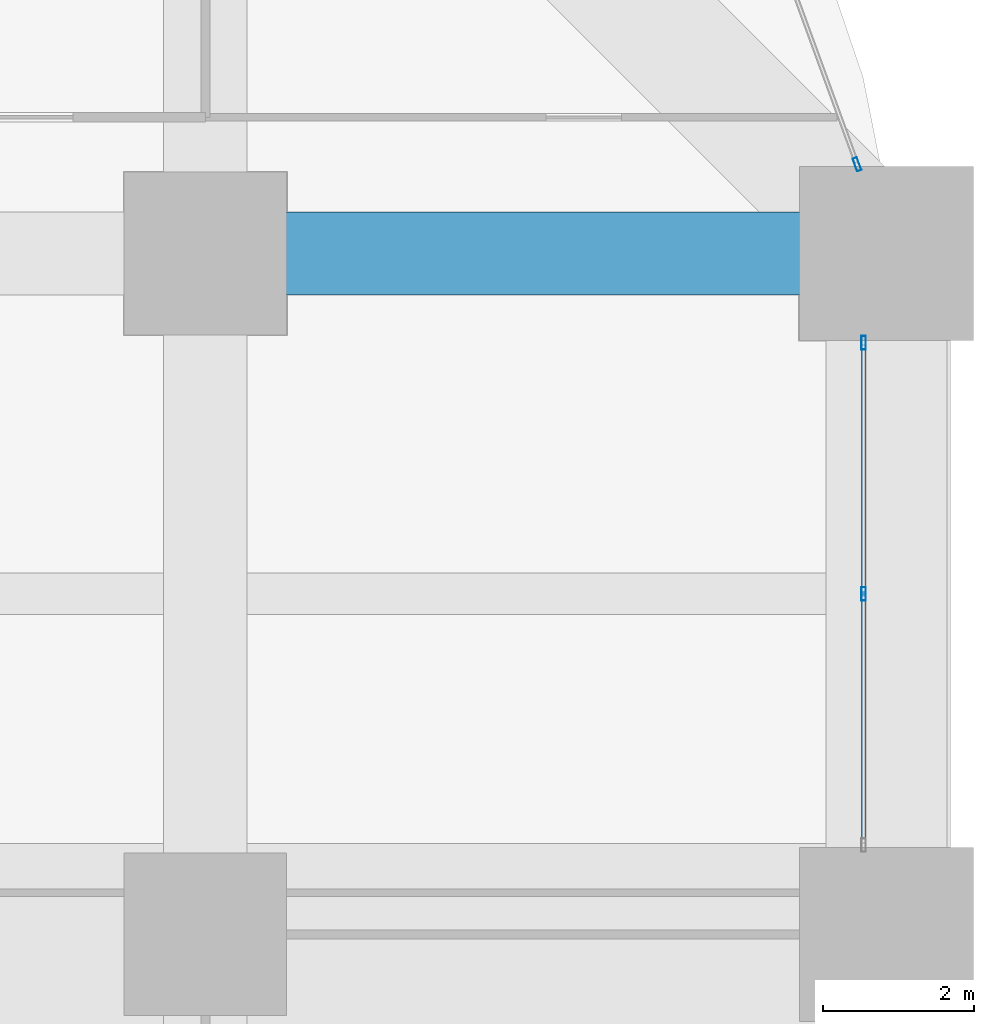
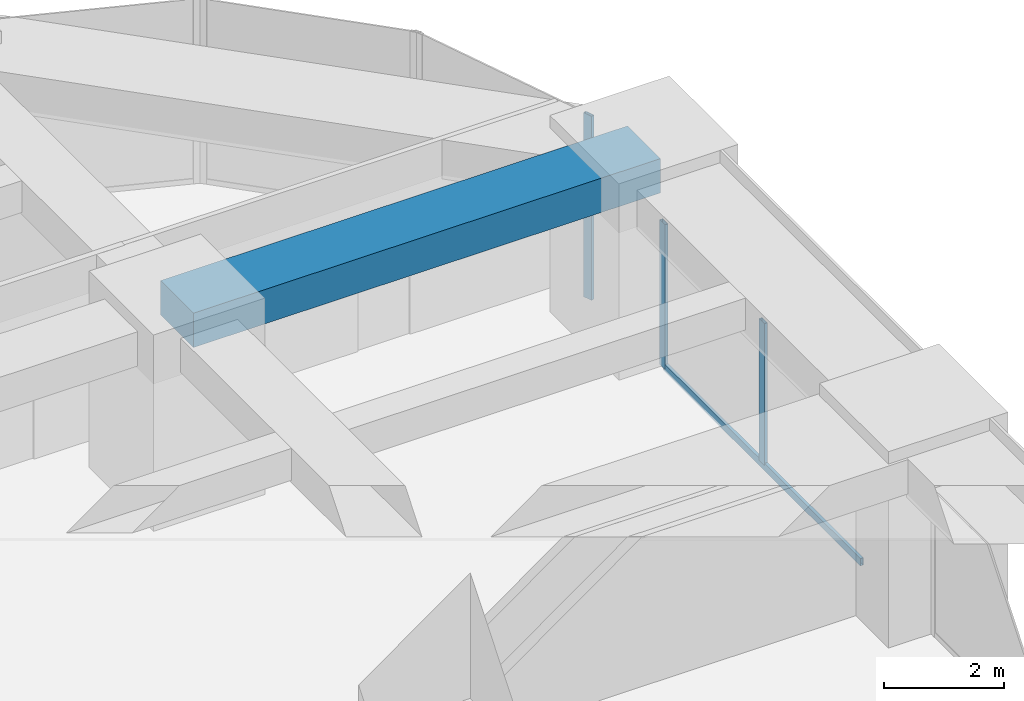
# One storey, part 33 of 44: 4 members, 1 beam, 2 elements without a shape of their own.
"""IFC4 building model written with IfcOpenShell, lengths in metres."""

from ifc_helpers import new_model, si_unit, direction, frame, origin, origin_2d, place, context, subcontext, project, spatial, rectangle, hollow_rectangle, extrude, material, material_profile, profile_set, type_object, element, aggregate, save


model = new_model("IFC4")

# Units and contexts
model_context = context("Model", 3, precision=1e-05, world=origin(), true_north=direction((0.0, 1.0)))
body_context = subcontext(model_context, "Body", "Model", "MODEL_VIEW")
ifc_project = project(units=[si_unit("LENGTHUNIT", "METRE"), si_unit("AREAUNIT", "SQUARE_METRE"), si_unit("VOLUMEUNIT", "CUBIC_METRE"), si_unit("PLANEANGLEUNIT", "RADIAN"), si_unit("MASSUNIT", "GRAM", prefix="KILO")], contexts=[model_context])

# Site, building, storey
site_placement = place(None, origin())
site = spatial("IfcSite", under=ifc_project, at=site_placement, CompositionType="ELEMENT")
building_placement = place(site_placement, origin())
building = spatial("IfcBuilding", under=site, at=building_placement, Name="Zorevar Civic Tower", CompositionType="ELEMENT")
storey_placement = place(building_placement, frame((0.0, 0.0, 63.800048828125)))
storey = spatial("IfcBuildingStorey", under=building, at=storey_placement, Name="L15", CompositionType="ELEMENT", Elevation=63.800048828125)

# Beam
ifc_material_1 = material(Name="Concrete C50/60", Category="concrete")
ifc_material_profile_1 = material_profile(ifc_material_1, rectangle(XDim=1.10009765625, YDim=0.699951171875, at=origin_2d()), Name="RC 1100x700")
ifc_profile_set_1 = profile_set([ifc_material_profile_1], Name="Concrete C50/60")
beam_type = type_object("IfcBeamType", Name="Beam RC 1100x700", PredefinedType="BEAM", material=ifc_profile_set_1)
beam_placement = place(storey_placement, frame((54.0, 45.0, 3.39990234375), z_axis=(1.0, 0.0, 0.0), x_axis=(0.0, 1.0, 0.0)))
element("IfcBeam", 1, at=beam_placement, inside=storey, type_object=beam_type, Name="Girder L16", PredefinedType="BEAM", context=body_context, shape_type="SweptSolid", body=[
    extrude(rectangle(XDim=1.10009765625, YDim=0.699951171875, at=origin_2d()), origin(), (0.0, 0.0, 1.0), 9.0),
])

# Curtain wall, members
ifc_material_2 = material(Name="Dark grey solar-control glass in black aluminium frame", Category="aluminium")
curtain_wall_type = type_object("IfcCurtainWallType", Name="Curtain wall CW2 low zone", PredefinedType="NOTDEFINED", material=ifc_material_2)
curtain_wall_1_placement = place(storey_placement, origin())
curtain_wall_1 = element("IfcCurtainWall", 2, at=curtain_wall_1_placement, inside=storey, type_object=curtain_wall_type, Name="CW2 L15", PredefinedType="NOTDEFINED")
ifc_material_3 = material(Name="Aluminium, black anodised", Category="aluminium")
ifc_material_profile_2 = material_profile(ifc_material_3, hollow_rectangle(XDim=0.06005859375, YDim=0.179931640625, WallThickness=0.00390625, at=origin_2d()), Name="AL 180x60x4")
ifc_profile_set_2 = profile_set([ifc_material_profile_2], Name="Aluminium, black anodised")
member_type_1 = type_object("IfcMemberType", Name="CW2 mullion AL 180x60x4", PredefinedType="MULLION", material=ifc_profile_set_2)
member_1_placement = place(storey_placement, frame((62.699951171875, 40.5, 0.06005859375), z_axis=(0.0, 0.0, 1.0), x_axis=(-1.0, 0.0, 0.0)))
member_1 = element("IfcMember", 3, at=member_1_placement, type_object=member_type_1, Name="CW2 mullion 2", PredefinedType="MULLION", context=body_context, shape_type="SweptSolid", body=[
    extrude(hollow_rectangle(XDim=0.06005859375, YDim=0.179931640625, WallThickness=0.00390625, at=origin_2d()), origin(), (0.0, 0.0, 1.0), 2.889892578125),
])
member_2_placement = place(storey_placement, frame((62.699951171875, 43.820068359375, 0.0), z_axis=(0.0, 0.0, 1.0), x_axis=(-1.0, 0.0, 0.0)))
member_2 = element("IfcMember", 4, at=member_2_placement, type_object=member_type_1, Name="CW2 mullion 3", PredefinedType="MULLION", context=body_context, shape_type="SweptSolid", body=[
    extrude(hollow_rectangle(XDim=0.06005859375, YDim=0.179931640625, WallThickness=0.00390625, at=origin_2d()), origin(), (0.0, 0.0, 1.0), 2.949951171875),
])

# Curtain wall, member
curtain_wall_2_placement = place(storey_placement, origin())
curtain_wall_2 = element("IfcCurtainWall", 5, at=curtain_wall_2_placement, inside=storey, type_object=curtain_wall_type, Name="CW2 L15", PredefinedType="NOTDEFINED")
member_3_placement = place(storey_placement, frame((62.61328125, 46.17822265625, 0.0), z_axis=(0.0, 0.0, 1.0), x_axis=(-0.939313345732, -0.343060400701, 0.0)))
member_3 = element("IfcMember", 6, at=member_3_placement, type_object=member_type_1, Name="CW2 mullion 1", PredefinedType="MULLION", context=body_context, shape_type="SweptSolid", body=[
    extrude(hollow_rectangle(XDim=0.06005859375, YDim=0.179931640625, WallThickness=0.00390625, at=origin_2d()), origin(), (0.0, 0.0, 1.0), 3.75),
])
aggregate(curtain_wall_2, [member_3])

# Member
ifc_material_4 = material(Name="Aluminium, black anodised", Category="aluminium")
ifc_material_profile_3 = material_profile(ifc_material_4, hollow_rectangle(XDim=0.06005859375, YDim=0.14990234375, WallThickness=0.00390625, at=origin_2d()), Name="AL 150x60x4")
ifc_profile_set_3 = profile_set([ifc_material_profile_3], Name="Aluminium, black anodised")
member_type_2 = type_object("IfcMemberType", Name="CW2 transom AL 150x60x4", PredefinedType="USERDEFINED", material=ifc_profile_set_3)
member_4_placement = place(storey_placement, frame((62.699951171875, 37.2099609375, 0.030029296875), z_axis=(0.0, 1.0, 0.0), x_axis=(-1.0, 0.0, 0.0)))
member_4 = element("IfcMember", 7, at=member_4_placement, type_object=member_type_2, Name="CW2 sill transom", ObjectType="TRANSOM", PredefinedType="USERDEFINED", context=body_context, shape_type="SweptSolid", body=[
    extrude(hollow_rectangle(XDim=0.06005859375, YDim=0.14990234375, WallThickness=0.00390625, at=origin_2d()), origin(), (0.0, 0.0, 1.0), 6.580078125),
])

aggregate(curtain_wall_1, [member_1, member_2, member_4])

save(model, "model.ifc")
